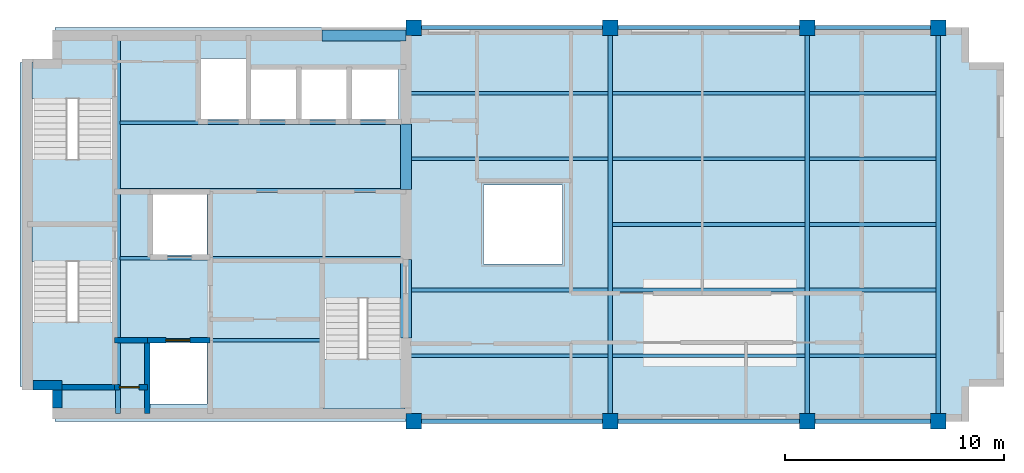
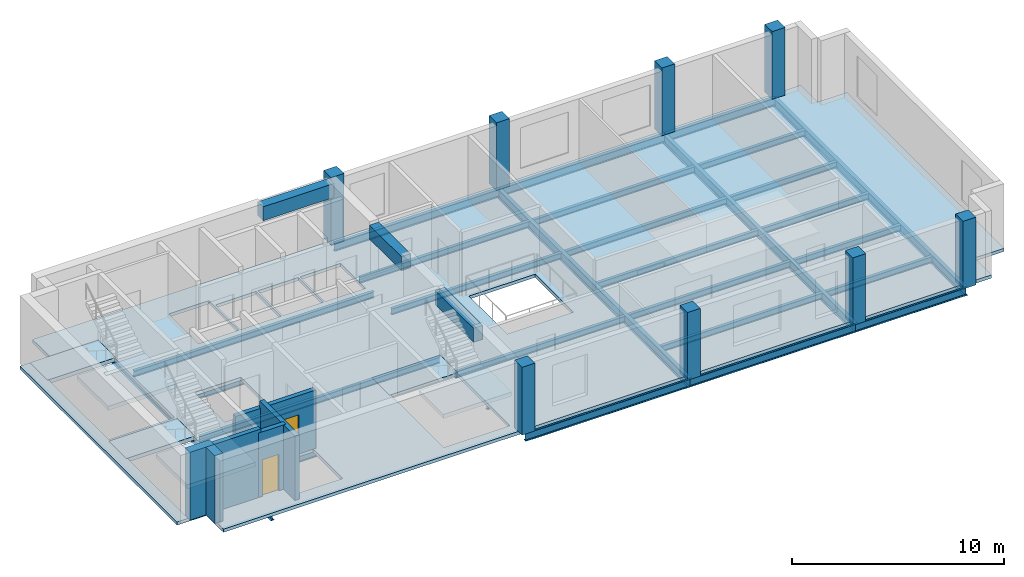
# One storey, part 1 of 5: 31 beams, 8 columns, 7 slabs, 7 walls, 2 doors, 2 openings, 3 elements without a shape of their own.
"""IFC4 building model written with IfcOpenShell, lengths in metres."""

import ifcopenshell
import ifcopenshell.guid

model = None  # the IFC model being written
_history = None  # IfcOwnerHistory: only IFC2X3 demands one
_inside = {}  # id of a spatial element -> (the spatial element, [elements in it])
_under = {}  # id of a project, library or spatial element -> (it, [spatial elements below it])
_declared = {}  # id of a project -> (the project, [libraries it declares])
_typed = {}  # id of a type object -> (the type object, [elements of that type])
_made_of = {}  # id of a material, layer set ... -> (it, [elements and type objects made of it])


def new_model(schema):
    """Start an empty IFC model of exactly this schema.

    Asked for "IFC4X3", IfcOpenShell would pick the latest addendum, in which some entities
    have other attributes; the version numbers below select the first issue.
    IFC2X3 requires an IfcOwnerHistory on every rooted entity: one is made here for all.
    """
    global model, _history
    if schema == "IFC4X3":
        model = ifcopenshell.file(schema_version=(4, 3, 0, 0))
    else:
        model = ifcopenshell.file(schema=schema)
    _inside.clear()
    _under.clear()
    _declared.clear()
    _typed.clear()
    _made_of.clear()
    _history = None
    if model.schema == "IFC2X3":
        org = make("IfcOrganization", Name="unknown")
        user = make(
            "IfcPersonAndOrganization",
            ThePerson=make("IfcPerson", FamilyName="unknown"),
            TheOrganization=org,
        )
        app = make(
            "IfcApplication",
            ApplicationDeveloper=org,
            Version="unknown",
            ApplicationFullName="unknown",
            ApplicationIdentifier="unknown",
        )
        _history = make(
            "IfcOwnerHistory",
            OwningUser=user,
            OwningApplication=app,
            ChangeAction="ADDED",
            CreationDate=0,
        )
    return model


def make(cls, **values):
    """One entity of the class cls with the attributes given. An attribute that is None is left unset."""
    return model.create_entity(
        cls, **{name: value for name, value in values.items() if value is not None}
    )


def rooted(cls, **values):
    """An entity with a GlobalId (a new one), such as an element, a storey or a relation."""
    return make(cls, GlobalId=ifcopenshell.guid.new(), OwnerHistory=_history, **values)


def si_unit(unit_type, name, prefix=None):
    """IfcSIUnit, for example si_unit("LENGTHUNIT", "METRE", prefix="MILLI")."""
    return make("IfcSIUnit", UnitType=unit_type, Prefix=prefix, Name=name)


def assignment(units):
    """IfcUnitAssignment: the units of a project."""
    return None if units is None else make("IfcUnitAssignment", Units=units)


def point(xyz):
    """IfcCartesianPoint."""
    return None if xyz is None else make("IfcCartesianPoint", Coordinates=xyz)


def direction(xyz):
    """IfcDirection."""
    return None if xyz is None else make("IfcDirection", DirectionRatios=xyz)


def frame(location, z_axis=None, x_axis=None):
    """IfcAxis2Placement3D, a coordinate frame: its origin and axes. An axis left out is left unset."""
    return make(
        "IfcAxis2Placement3D",
        Location=point(location),
        Axis=direction(z_axis),
        RefDirection=direction(x_axis),
    )


def frame_2d(location, x_axis=None):
    """IfcAxis2Placement2D, a coordinate frame in the plane: its origin and x axis."""
    return make(
        "IfcAxis2Placement2D", Location=point(location), RefDirection=direction(x_axis)
    )


def origin():
    """The frame at (0, 0, 0) with its axes left unset."""
    return frame((0.0, 0.0, 0.0))


def origin_2d():
    """The frame at (0, 0) in the plane with its x axis left unset."""
    return frame_2d((0.0, 0.0))


def place(relative_to, where):
    """IfcLocalPlacement: puts the frame where relative to a parent placement (None: the world)."""
    return make(
        "IfcLocalPlacement", PlacementRelTo=relative_to, RelativePlacement=where
    )


def context(
    kind, dimensions, precision=None, world=None, true_north=None, identifier=None
):
    """IfcGeometricRepresentationContext, for example the 3D "Model" context."""
    return make(
        "IfcGeometricRepresentationContext",
        ContextIdentifier=identifier,
        ContextType=kind,
        CoordinateSpaceDimension=dimensions,
        Precision=precision,
        WorldCoordinateSystem=world,
        TrueNorth=true_north,
    )


def subcontext(parent, identifier, kind, view, scale=None):
    """IfcGeometricRepresentationSubContext, for example "Body" below "Model"."""
    return make(
        "IfcGeometricRepresentationSubContext",
        ContextIdentifier=identifier,
        ContextType=kind,
        ParentContext=parent,
        TargetScale=scale,
        TargetView=view,
    )


def project(units=None, contexts=None):
    """IfcProject with its units and contexts."""
    return rooted(
        "IfcProject",
        Name="project",
        RepresentationContexts=contexts,
        UnitsInContext=assignment(units),
    )


def spatial(cls, under=None, at=None, **own):
    """A site, building, storey or space (cls), placed at a placement, below another one or the project."""
    s = rooted(cls, ObjectPlacement=at, **own)
    if under is not None:
        _under.setdefault(under.id(), (under, []))[1].append(s)
    return s


def polyline(points):
    """IfcPolyline through the points."""
    return make("IfcPolyline", Points=[point(p) for p in points])


def profile(cls, at=None, kind="AREA", **sizes):
    """A parametric profile (cls). Its sizes go by their IFC names, for example OverallWidth=200.0."""
    return make(cls, ProfileType=kind, Position=at, **sizes)


def rectangle(**sizes):
    """IfcRectangleProfileDef."""
    return profile("IfcRectangleProfileDef", **sizes)


def i_section(**sizes):
    """IfcIShapeProfileDef."""
    return profile("IfcIShapeProfileDef", **sizes)


def outline(outer, holes=None, kind="AREA"):
    """IfcArbitraryClosedProfileDef: a profile drawn as a closed curve; with holes, ...WithVoids."""
    if holes is None:
        return make("IfcArbitraryClosedProfileDef", ProfileType=kind, OuterCurve=outer)
    return make(
        "IfcArbitraryProfileDefWithVoids",
        ProfileType=kind,
        OuterCurve=outer,
        InnerCurves=holes,
    )


def extrude(swept, where, along, depth):
    """IfcExtrudedAreaSolid: the profile swept, set in the frame where, extruded along a direction by depth."""
    return make(
        "IfcExtrudedAreaSolid",
        SweptArea=swept,
        Position=where,
        ExtrudedDirection=direction(along),
        Depth=depth,
    )


def shape(context_of_items, identifier, shape_type, items):
    """IfcShapeRepresentation: the items that make up one representation, for example the "Body"."""
    return make(
        "IfcShapeRepresentation",
        ContextOfItems=context_of_items,
        RepresentationIdentifier=identifier,
        RepresentationType=shape_type,
        Items=items,
    )


def material(Name=None, Category=None):
    """IfcMaterial."""
    return make("IfcMaterial", Name=Name, Category=Category)


def layer(
    of_material, thickness, ventilated=None, Name=None, Category=None, Priority=None
):
    """IfcMaterialLayer: one layer of a wall or slab, of a material (None: an air gap)."""
    return make(
        "IfcMaterialLayer",
        Material=of_material,
        LayerThickness=thickness,
        IsVentilated=ventilated,
        Name=Name,
        Category=Category,
        Priority=Priority,
    )


def layer_set(layers, Name=None):
    """IfcMaterialLayerSet."""
    return make("IfcMaterialLayerSet", MaterialLayers=layers, LayerSetName=Name)


def material_profile(
    of_material, cross_section, Name=None, Category=None, Priority=None
):
    """IfcMaterialProfile: a cross section and its material."""
    return make(
        "IfcMaterialProfile",
        Name=Name,
        Material=of_material,
        Profile=cross_section,
        Priority=Priority,
        Category=Category,
    )


def profile_set(profiles, Name=None, composite=None):
    """IfcMaterialProfileSet."""
    return make(
        "IfcMaterialProfileSet",
        Name=Name,
        MaterialProfiles=profiles,
        CompositeProfile=composite,
    )


def made_of(thing, what):
    """Note that an element or type object is made of a material, layer set ...; save() writes the relation."""
    if what is not None:
        _made_of.setdefault(what.id(), (what, []))[1].append(thing)
    return thing


def type_object(cls, material=None, **own):
    """A type object (cls), such as IfcWallType, which elements share."""
    return made_of(rooted(cls, **own), material)


def element(
    cls,
    number,
    at=None,
    inside=None,
    cuts=None,
    type_object=None,
    material=None,
    context=None,
    identifier="Body",
    shape_type=None,
    held_by="IfcProductDefinitionShape",
    body=None,
    shapes=None,
    **own,
):
    """One element of the class cls, such as IfcWall. Its Tag is "e" and its number.

    at: its placement. inside: the storey or other place that contains it. cuts: it is an
    opening in that element (IfcRelVoidsElement). A single representation is given by context,
    identifier, shape_type and body (its items); several are given by shapes. held_by: the class
    of the entity that holds the representations. save() writes the other relations.
    """
    e = rooted(cls, Tag="e%d" % number, ObjectPlacement=at, **own)
    if body is not None:
        shapes = [shape(context, identifier, shape_type, body)]
    if shapes is not None:
        e.Representation = make(held_by, Representations=shapes)
    if inside is not None:
        _inside.setdefault(inside.id(), (inside, []))[1].append(e)
    if cuts is not None:
        rooted(
            "IfcRelVoidsElement", RelatingBuildingElement=cuts, RelatedOpeningElement=e
        )
    if type_object is not None:
        _typed.setdefault(type_object.id(), (type_object, []))[1].append(e)
    return made_of(e, material)


def fill(opening, filler):
    """IfcRelFillsElement: the door or window that sits in an opening."""
    return rooted(
        "IfcRelFillsElement",
        RelatingOpeningElement=opening,
        RelatedBuildingElement=filler,
    )


def aggregate(whole, parts):
    """IfcRelAggregates: a whole, such as a stair, and the parts it consists of."""
    return rooted("IfcRelAggregates", RelatingObject=whole, RelatedObjects=parts)


def save(model, path):
    """Write the relations noted so far, then the file.

    IfcRelAggregates (storeys below a building ...), IfcRelContainedInSpatialStructure (elements
    in a storey), IfcRelDefinesByType, IfcRelAssociatesMaterial and IfcRelDeclares: one each for
    every whole, place, type object, material and project.
    """
    for whole, parts in _under.values():
        aggregate(whole, parts)
    for where, things in _inside.values():
        rooted(
            "IfcRelContainedInSpatialStructure",
            RelatedElements=things,
            RelatingStructure=where,
        )
    for kind, things in _typed.values():
        rooted("IfcRelDefinesByType", RelatedObjects=things, RelatingType=kind)
    for what, things in _made_of.values():
        rooted("IfcRelAssociatesMaterial", RelatedObjects=things, RelatingMaterial=what)
    for by, libraries in _declared.values():
        rooted("IfcRelDeclares", RelatingContext=by, RelatedDefinitions=libraries)
    model.write(path)


model = new_model("IFC4")

# Units and contexts
model_context = context("Model", 3, precision=1e-05, world=origin(), true_north=direction((0.0, 1.0)))
body_context = subcontext(model_context, "Body", "Model", "MODEL_VIEW")
ifc_project = project(units=[si_unit("LENGTHUNIT", "METRE"), si_unit("AREAUNIT", "SQUARE_METRE"), si_unit("VOLUMEUNIT", "CUBIC_METRE"), si_unit("PLANEANGLEUNIT", "RADIAN"), si_unit("MASSUNIT", "GRAM", prefix="KILO")], contexts=[model_context])

# Site, building, storey
site_placement = place(None, origin())
site = spatial("IfcSite", under=ifc_project, at=site_placement, CompositionType="ELEMENT")
building_placement = place(site_placement, origin())
building = spatial("IfcBuilding", under=site, at=building_placement, Name="Mawjdan Bourse Tower", CompositionType="ELEMENT")
storey_placement = place(building_placement, frame((0.0, 0.0, 293.699951171875)))
storey = spatial("IfcBuildingStorey", under=building, at=storey_placement, Name="L72", CompositionType="ELEMENT", Elevation=293.699951171875)

# Columns
ifc_material_1 = material(Name="Concrete C60/75", Category="concrete")
ifc_material_profile_1 = material_profile(ifc_material_1, rectangle(XDim=0.699951171875, YDim=0.699951171875, at=origin_2d()), Name="RC700X700")
ifc_profile_set_1 = profile_set([ifc_material_profile_1], Name="Concrete C60/75")
column_type = type_object("IfcColumnType", Name="COL-RC700X700", PredefinedType="COLUMN", material=ifc_profile_set_1)
for number, where, z_axis, x_axis, name in (
    (1, (24.0, 3.0, 0.0), (0.0, 0.0, 1.0), (1.0, 0.0, 0.0), "L72 Structural Column C-X240-Y30"),
    (2, (24.0, 21.0, 0.0), (0.0, 0.0, 1.0), (1.0, 0.0, 0.0), "L72 Structural Column C-X240-Y210"),
    (3, (33.0, 3.0, 0.0), (0.0, 0.0, 1.0), (1.0, 0.0, 0.0), "L72 Structural Column C-X330-Y30"),
    (4, (33.0, 21.0, 0.0), (0.0, 0.0, 1.0), (1.0, 0.0, 0.0), "L72 Structural Column C-X330-Y210"),
    (5, (42.0, 3.0, 0.0), (0.0, 0.0, 1.0), (1.0, 0.0, 0.0), "L72 Structural Column C-X420-Y30"),
    (6, (42.0, 21.0, 0.0), (0.0, 0.0, 1.0), (1.0, 0.0, 0.0), "L72 Structural Column C-X420-Y210"),
    (7, (48.0, 3.0, 0.0), (0.0, 0.0, 1.0), (1.0, 0.0, 0.0), "L72 Structural Column C-X480-Y30"),
    (8, (48.0, 21.0, 0.0), (0.0, 0.0, 1.0), (1.0, 0.0, 0.0), "L72 Structural Column C-X480-Y210"),
):
    element("IfcColumn", number, at=place(storey_placement, frame(where, z_axis=z_axis, x_axis=x_axis)), inside=storey, type_object=column_type, Name=name, PredefinedType="COLUMN", context=body_context, shape_type="SweptSolid", body=[
        extrude(rectangle(XDim=0.699951171875, YDim=0.699951171875, at=origin_2d()), origin(), (0.0, 0.0, 1.0), 3.900146484375),
    ])

# Beams
ifc_material_2 = material(Name="Structural Steel S355", Category="steel")
ifc_material_profile_2 = material_profile(ifc_material_2, i_section(OverallWidth=0.2099609375, OverallDepth=0.537109375, WebThickness=0.010986328125, FlangeThickness=0.017333984375, FilletRadius=0.013916015625, at=origin_2d()), Name="W21X68")
ifc_profile_set_2 = profile_set([ifc_material_profile_2], Name="Structural Steel S355")
beam_type_1 = type_object("IfcBeamType", Name="GRD-W21X68", PredefinedType="BEAM", material=ifc_profile_set_2)
beam_1_placement = place(storey_placement, frame((10.47998046875, 3.35009765625, -0.453369140625), z_axis=(0.0, 1.0, 0.0), x_axis=(-1.0, 0.0, 0.0)))
element("IfcBeam", 9, at=beam_1_placement, inside=storey, type_object=beam_type_1, Name="L72 Core Stair Trimmer Girder 001", PredefinedType="BEAM", context=body_context, shape_type="SweptSolid", body=[
    extrude(i_section(OverallWidth=0.2099609375, OverallDepth=0.537109375, WebThickness=0.010986328125, FlangeThickness=0.017333984375, FilletRadius=0.013916015625, at=origin_2d()), origin(), (0.0, 0.0, 1.0), 17.2998046875),
])
for number, where, z_axis, x_axis, name in (
    (10, (33.0, 3.0, -0.453369140625), (0.0, 1.0, 0.0), (-1.0, 0.0, 0.0), "L72 East Wing Clear-Span Girder 002"),
    (11, (42.0, 3.0, -0.453369140625), (0.0, 1.0, 0.0), (-1.0, 0.0, 0.0), "L72 East Wing Clear-Span Girder 003"),
    (12, (48.0, 3.0, -0.453369140625), (0.0, 1.0, 0.0), (-1.0, 0.0, 0.0), "L72 East Wing Clear-Span Girder 004"),
):
    element("IfcBeam", number, at=place(storey_placement, frame(where, z_axis=z_axis, x_axis=x_axis)), inside=storey, type_object=beam_type_1, Name=name, PredefinedType="BEAM", context=body_context, shape_type="SweptSolid", body=[
        extrude(i_section(OverallWidth=0.2099609375, OverallDepth=0.537109375, WebThickness=0.010986328125, FlangeThickness=0.017333984375, FilletRadius=0.013916015625, at=origin_2d()), origin(), (0.0, 0.0, 1.0), 18.0),
    ])
ifc_material_profile_3 = material_profile(ifc_material_2, i_section(OverallWidth=0.1708984375, OverallDepth=0.35107421875, WebThickness=0.0068359375, FlangeThickness=0.009765625, FilletRadius=0.0078125, at=origin_2d()), Name="W14X30")
ifc_profile_set_3 = profile_set([ifc_material_profile_3], Name="Structural Steel S355")
beam_type_2 = type_object("IfcBeamType", Name="JST-W14X30", PredefinedType="JOIST", material=ifc_profile_set_3)
beam_2_placement = place(storey_placement, frame((23.64990234375, 6.0, -0.3603515625), z_axis=(1.0, 0.0, 0.0), x_axis=(0.0, 1.0, 0.0)))
element("IfcBeam", 13, at=beam_2_placement, inside=storey, type_object=beam_type_2, Name="L72 East Wing Composite Joist 011", PredefinedType="JOIST", context=body_context, shape_type="SweptSolid", body=[
    extrude(i_section(OverallWidth=0.1708984375, OverallDepth=0.35107421875, WebThickness=0.0068359375, FlangeThickness=0.009765625, FilletRadius=0.0078125, at=origin_2d()), origin(), (0.0, 0.0, 1.0), 9.2470703125),
])
beam_3_placement = place(storey_placement, frame((33.10302734375, 6.0, -0.3603515625), z_axis=(1.0, 0.0, 0.0), x_axis=(0.0, 1.0, 0.0)))
element("IfcBeam", 14, at=beam_3_placement, inside=storey, type_object=beam_type_2, Name="L72 East Wing Composite Joist 012", PredefinedType="JOIST", context=body_context, shape_type="SweptSolid", body=[
    extrude(i_section(OverallWidth=0.1708984375, OverallDepth=0.35107421875, WebThickness=0.0068359375, FlangeThickness=0.009765625, FilletRadius=0.0078125, at=origin_2d()), origin(), (0.0, 0.0, 1.0), 8.7939453125),
])
beam_4_placement = place(storey_placement, frame((42.10302734375, 6.0, -0.3603515625), z_axis=(1.0, 0.0, 0.0), x_axis=(0.0, 1.0, 0.0)))
element("IfcBeam", 15, at=beam_4_placement, inside=storey, type_object=beam_type_2, Name="L72 East Wing Composite Joist 013", PredefinedType="JOIST", context=body_context, shape_type="SweptSolid", body=[
    extrude(i_section(OverallWidth=0.1708984375, OverallDepth=0.35107421875, WebThickness=0.0068359375, FlangeThickness=0.009765625, FilletRadius=0.0078125, at=origin_2d()), origin(), (0.0, 0.0, 1.0), 5.7939453125),
])
beam_5_placement = place(storey_placement, frame((23.64990234375, 9.0, -0.3603515625), z_axis=(1.0, 0.0, 0.0), x_axis=(0.0, 1.0, 0.0)))
element("IfcBeam", 16, at=beam_5_placement, inside=storey, type_object=beam_type_2, Name="L72 East Wing Composite Joist 014", PredefinedType="JOIST", context=body_context, shape_type="SweptSolid", body=[
    extrude(i_section(OverallWidth=0.1708984375, OverallDepth=0.35107421875, WebThickness=0.0068359375, FlangeThickness=0.009765625, FilletRadius=0.0078125, at=origin_2d()), origin(), (0.0, 0.0, 1.0), 9.2470703125),
])
beam_6_placement = place(storey_placement, frame((33.10302734375, 9.0, -0.3603515625), z_axis=(1.0, 0.0, 0.0), x_axis=(0.0, 1.0, 0.0)))
element("IfcBeam", 17, at=beam_6_placement, inside=storey, type_object=beam_type_2, Name="L72 East Wing Composite Joist 015", PredefinedType="JOIST", context=body_context, shape_type="SweptSolid", body=[
    extrude(i_section(OverallWidth=0.1708984375, OverallDepth=0.35107421875, WebThickness=0.0068359375, FlangeThickness=0.009765625, FilletRadius=0.0078125, at=origin_2d()), origin(), (0.0, 0.0, 1.0), 8.7939453125),
])
beam_7_placement = place(storey_placement, frame((42.10302734375, 9.0, -0.3603515625), z_axis=(1.0, 0.0, 0.0), x_axis=(0.0, 1.0, 0.0)))
element("IfcBeam", 18, at=beam_7_placement, inside=storey, type_object=beam_type_2, Name="L72 East Wing Composite Joist 016", PredefinedType="JOIST", context=body_context, shape_type="SweptSolid", body=[
    extrude(i_section(OverallWidth=0.1708984375, OverallDepth=0.35107421875, WebThickness=0.0068359375, FlangeThickness=0.009765625, FilletRadius=0.0078125, at=origin_2d()), origin(), (0.0, 0.0, 1.0), 5.7939453125),
])
beam_8_placement = place(storey_placement, frame((33.10302734375, 12.0, -0.3603515625), z_axis=(1.0, 0.0, 0.0), x_axis=(0.0, 1.0, 0.0)))
element("IfcBeam", 19, at=beam_8_placement, inside=storey, type_object=beam_type_2, Name="L72 East Wing Composite Joist 017", PredefinedType="JOIST", context=body_context, shape_type="SweptSolid", body=[
    extrude(i_section(OverallWidth=0.1708984375, OverallDepth=0.35107421875, WebThickness=0.0068359375, FlangeThickness=0.009765625, FilletRadius=0.0078125, at=origin_2d()), origin(), (0.0, 0.0, 1.0), 8.7939453125),
])
beam_9_placement = place(storey_placement, frame((42.10302734375, 12.0, -0.3603515625), z_axis=(1.0, 0.0, 0.0), x_axis=(0.0, 1.0, 0.0)))
element("IfcBeam", 20, at=beam_9_placement, inside=storey, type_object=beam_type_2, Name="L72 East Wing Composite Joist 018", PredefinedType="JOIST", context=body_context, shape_type="SweptSolid", body=[
    extrude(i_section(OverallWidth=0.1708984375, OverallDepth=0.35107421875, WebThickness=0.0068359375, FlangeThickness=0.009765625, FilletRadius=0.0078125, at=origin_2d()), origin(), (0.0, 0.0, 1.0), 5.7939453125),
])
beam_10_placement = place(storey_placement, frame((23.64990234375, 15.0, -0.3603515625), z_axis=(1.0, 0.0, 0.0), x_axis=(0.0, 1.0, 0.0)))
element("IfcBeam", 21, at=beam_10_placement, inside=storey, type_object=beam_type_2, Name="L72 East Wing Composite Joist 019", PredefinedType="JOIST", context=body_context, shape_type="SweptSolid", body=[
    extrude(i_section(OverallWidth=0.1708984375, OverallDepth=0.35107421875, WebThickness=0.0068359375, FlangeThickness=0.009765625, FilletRadius=0.0078125, at=origin_2d()), origin(), (0.0, 0.0, 1.0), 9.2470703125),
])
beam_11_placement = place(storey_placement, frame((33.10302734375, 15.0, -0.3603515625), z_axis=(1.0, 0.0, 0.0), x_axis=(0.0, 1.0, 0.0)))
element("IfcBeam", 22, at=beam_11_placement, inside=storey, type_object=beam_type_2, Name="L72 East Wing Composite Joist 020", PredefinedType="JOIST", context=body_context, shape_type="SweptSolid", body=[
    extrude(i_section(OverallWidth=0.1708984375, OverallDepth=0.35107421875, WebThickness=0.0068359375, FlangeThickness=0.009765625, FilletRadius=0.0078125, at=origin_2d()), origin(), (0.0, 0.0, 1.0), 8.7939453125),
])
beam_12_placement = place(storey_placement, frame((42.10302734375, 15.0, -0.3603515625), z_axis=(1.0, 0.0, 0.0), x_axis=(0.0, 1.0, 0.0)))
element("IfcBeam", 23, at=beam_12_placement, inside=storey, type_object=beam_type_2, Name="L72 East Wing Composite Joist 021", PredefinedType="JOIST", context=body_context, shape_type="SweptSolid", body=[
    extrude(i_section(OverallWidth=0.1708984375, OverallDepth=0.35107421875, WebThickness=0.0068359375, FlangeThickness=0.009765625, FilletRadius=0.0078125, at=origin_2d()), origin(), (0.0, 0.0, 1.0), 5.7939453125),
])
beam_13_placement = place(storey_placement, frame((23.64990234375, 18.0, -0.3603515625), z_axis=(1.0, 0.0, 0.0), x_axis=(0.0, 1.0, 0.0)))
element("IfcBeam", 24, at=beam_13_placement, inside=storey, type_object=beam_type_2, Name="L72 East Wing Composite Joist 022", PredefinedType="JOIST", context=body_context, shape_type="SweptSolid", body=[
    extrude(i_section(OverallWidth=0.1708984375, OverallDepth=0.35107421875, WebThickness=0.0068359375, FlangeThickness=0.009765625, FilletRadius=0.0078125, at=origin_2d()), origin(), (0.0, 0.0, 1.0), 9.2470703125),
])
beam_14_placement = place(storey_placement, frame((33.10302734375, 18.0, -0.3603515625), z_axis=(1.0, 0.0, 0.0), x_axis=(0.0, 1.0, 0.0)))
element("IfcBeam", 25, at=beam_14_placement, inside=storey, type_object=beam_type_2, Name="L72 East Wing Composite Joist 023", PredefinedType="JOIST", context=body_context, shape_type="SweptSolid", body=[
    extrude(i_section(OverallWidth=0.1708984375, OverallDepth=0.35107421875, WebThickness=0.0068359375, FlangeThickness=0.009765625, FilletRadius=0.0078125, at=origin_2d()), origin(), (0.0, 0.0, 1.0), 8.7939453125),
])
beam_15_placement = place(storey_placement, frame((42.10302734375, 18.0, -0.3603515625), z_axis=(1.0, 0.0, 0.0), x_axis=(0.0, 1.0, 0.0)))
element("IfcBeam", 26, at=beam_15_placement, inside=storey, type_object=beam_type_2, Name="L72 East Wing Composite Joist 024", PredefinedType="JOIST", context=body_context, shape_type="SweptSolid", body=[
    extrude(i_section(OverallWidth=0.1708984375, OverallDepth=0.35107421875, WebThickness=0.0068359375, FlangeThickness=0.009765625, FilletRadius=0.0078125, at=origin_2d()), origin(), (0.0, 0.0, 1.0), 5.7939453125),
])
beam_16_placement = place(storey_placement, frame((10.5830078125, 6.699951171875, -0.3603515625), z_axis=(1.0, 0.0, 0.0), x_axis=(0.0, 1.0, 0.0)))
element("IfcBeam", 27, at=beam_16_placement, inside=storey, type_object=beam_type_2, Name="L72 Core Floor Joist 025", PredefinedType="JOIST", context=body_context, shape_type="SweptSolid", body=[
    extrude(i_section(OverallWidth=0.1708984375, OverallDepth=0.35107421875, WebThickness=0.0068359375, FlangeThickness=0.009765625, FilletRadius=0.0078125, at=origin_2d()), origin(), (0.0, 0.0, 1.0), 9.2470703125),
])
for number, where, z_axis, x_axis, name in (
    (28, (10.5830078125, 10.449951171875, -0.3603515625), (1.0, 0.0, 0.0), (0.0, 1.0, 0.0), "L72 Core Floor Joist 026"),
    (29, (10.5830078125, 13.550048828125, -0.3603515625), (1.0, 0.0, 0.0), (0.0, 1.0, 0.0), "L72 Core Floor Joist 027"),
    (30, (10.5830078125, 16.64990234375, -0.3603515625), (1.0, 0.0, 0.0), (0.0, 1.0, 0.0), "L72 Core Floor Joist 028"),
):
    element("IfcBeam", number, at=place(storey_placement, frame(where, z_axis=z_axis, x_axis=x_axis)), inside=storey, type_object=beam_type_2, Name=name, PredefinedType="JOIST", context=body_context, shape_type="SweptSolid", body=[
        extrude(i_section(OverallWidth=0.1708984375, OverallDepth=0.35107421875, WebThickness=0.0068359375, FlangeThickness=0.009765625, FilletRadius=0.0078125, at=origin_2d()), origin(), (0.0, 0.0, 1.0), 13.06689453125),
    ])
ifc_material_3 = material(Name="Concrete C70/85", Category="concrete")
ifc_material_profile_4 = material_profile(ifc_material_3, rectangle(XDim=0.5, YDim=0.800048828125, at=origin_2d()), Name="RCB500X800")
ifc_profile_set_4 = profile_set([ifc_material_profile_4], Name="Concrete C70/85")
beam_type_3 = type_object("IfcBeamType", Name="LNT-RCB500X800", PredefinedType="LINTEL", material=ifc_profile_set_4)
beam_17_placement = place(storey_placement, frame((23.64990234375, 6.800048828125, 3.31494140625), z_axis=(0.0, 1.0, 0.0), x_axis=(-1.0, 0.0, 0.0)))
element("IfcBeam", 31, at=beam_17_placement, inside=storey, type_object=beam_type_3, Name="L72 Coupled Core Lintel CB-E1", PredefinedType="LINTEL", context=body_context, shape_type="SweptSolid", body=[
    extrude(rectangle(XDim=0.5, YDim=0.800048828125, at=origin_2d()), origin(), (0.0, 0.0, 1.0), 3.599853515625),
])
beam_18_placement = place(storey_placement, frame((23.64990234375, 13.60009765625, 3.31494140625), z_axis=(0.0, 1.0, 0.0), x_axis=(-1.0, 0.0, 0.0)))
element("IfcBeam", 32, at=beam_18_placement, inside=storey, type_object=beam_type_3, Name="L72 Coupled Core Lintel CB-E2", PredefinedType="LINTEL", context=body_context, shape_type="SweptSolid", body=[
    extrude(rectangle(XDim=0.5, YDim=0.800048828125, at=origin_2d()), origin(), (0.0, 0.0, 1.0), 3.0),
])
beam_19_placement = place(storey_placement, frame((19.800048828125, 20.64990234375, 3.31494140625), z_axis=(1.0, 0.0, 0.0), x_axis=(0.0, 1.0, 0.0)))
element("IfcBeam", 33, at=beam_19_placement, inside=storey, type_object=beam_type_3, Name="L72 Coupled Core Lintel CB-N1", PredefinedType="LINTEL", context=body_context, shape_type="SweptSolid", body=[
    extrude(rectangle(XDim=0.5, YDim=0.800048828125, at=origin_2d()), origin(), (0.0, 0.0, 1.0), 3.849853515625),
])
ifc_material_profile_5 = material_profile(ifc_material_2, i_section(OverallWidth=0.18994140625, OverallDepth=0.45703125, WebThickness=0.009033203125, FlangeThickness=0.014404296875, FilletRadius=0.01171875, at=origin_2d()), Name="W18X50")
ifc_profile_set_5 = profile_set([ifc_material_profile_5], Name="Structural Steel S355")
beam_type_4 = type_object("IfcBeamType", Name="SPN-W18X50", PredefinedType="SPANDREL", material=ifc_profile_set_5)
for number, where, z_axis, x_axis, name in (
    (34, (24.0, 3.0, -0.413330078125), (1.0, 0.0, 0.0), (0.0, 1.0, 0.0), "L72 Perimeter Masonry-Shelf Spandrel 005"),
    (35, (33.0, 3.0, -0.413330078125), (1.0, 0.0, 0.0), (0.0, 1.0, 0.0), "L72 Perimeter Masonry-Shelf Spandrel 006"),
):
    element("IfcBeam", number, at=place(storey_placement, frame(where, z_axis=z_axis, x_axis=x_axis)), inside=storey, type_object=beam_type_4, Name=name, PredefinedType="SPANDREL", context=body_context, shape_type="SweptSolid", body=[
        extrude(i_section(OverallWidth=0.18994140625, OverallDepth=0.45703125, WebThickness=0.009033203125, FlangeThickness=0.014404296875, FilletRadius=0.01171875, at=origin_2d()), origin(), (0.0, 0.0, 1.0), 9.0),
    ])
beam_20_placement = place(storey_placement, frame((42.0, 3.0, -0.413330078125), z_axis=(1.0, 0.0, 0.0), x_axis=(0.0, 1.0, 0.0)))
element("IfcBeam", 36, at=beam_20_placement, inside=storey, type_object=beam_type_4, Name="L72 Perimeter Masonry-Shelf Spandrel 007", PredefinedType="SPANDREL", context=body_context, shape_type="SweptSolid", body=[
    extrude(i_section(OverallWidth=0.18994140625, OverallDepth=0.45703125, WebThickness=0.009033203125, FlangeThickness=0.014404296875, FilletRadius=0.01171875, at=origin_2d()), origin(), (0.0, 0.0, 1.0), 6.0),
])
for number, where, z_axis, x_axis, name in (
    (37, (24.0, 21.0, -0.413330078125), (1.0, 0.0, 0.0), (0.0, 1.0, 0.0), "L72 Perimeter Masonry-Shelf Spandrel 008"),
    (38, (33.0, 21.0, -0.413330078125), (1.0, 0.0, 0.0), (0.0, 1.0, 0.0), "L72 Perimeter Masonry-Shelf Spandrel 009"),
):
    element("IfcBeam", number, at=place(storey_placement, frame(where, z_axis=z_axis, x_axis=x_axis)), inside=storey, type_object=beam_type_4, Name=name, PredefinedType="SPANDREL", context=body_context, shape_type="SweptSolid", body=[
        extrude(i_section(OverallWidth=0.18994140625, OverallDepth=0.45703125, WebThickness=0.009033203125, FlangeThickness=0.014404296875, FilletRadius=0.01171875, at=origin_2d()), origin(), (0.0, 0.0, 1.0), 9.0),
    ])
beam_21_placement = place(storey_placement, frame((42.0, 21.0, -0.413330078125), z_axis=(1.0, 0.0, 0.0), x_axis=(0.0, 1.0, 0.0)))
element("IfcBeam", 39, at=beam_21_placement, inside=storey, type_object=beam_type_4, Name="L72 Perimeter Masonry-Shelf Spandrel 010", PredefinedType="SPANDREL", context=body_context, shape_type="SweptSolid", body=[
    extrude(i_section(OverallWidth=0.18994140625, OverallDepth=0.45703125, WebThickness=0.009033203125, FlangeThickness=0.014404296875, FilletRadius=0.01171875, at=origin_2d()), origin(), (0.0, 0.0, 1.0), 6.0),
])

# Stair, slabs
ifc_material_4 = material(Name="Concrete C50/60", Category="concrete")
stair_type = type_object("IfcStairType", Name="STR-CORE-1500", PredefinedType="HALF_TURN_STAIR", material=ifc_material_4)
stair_1_placement = place(storey_placement, origin())
stair_1 = element("IfcStair", 40, at=stair_1_placement, inside=storey, type_object=stair_type, Name="L72 Exit Stair 1 (Core South-West)", PredefinedType="HALF_TURN_STAIR")
ifc_layer_1 = layer(ifc_material_4, 0.22998046875)
ifc_layer_set_1 = layer_set([ifc_layer_1], Name="Concrete C50/60")
slab_type_1 = type_object("IfcSlabType", Name="SL-LND-230", PredefinedType="LANDING", material=ifc_layer_set_1)
slab_1_placement = place(storey_placement, frame((0.0, 0.0, -0.22998046875)))
slab_1 = element("IfcSlab", 41, at=slab_1_placement, type_object=slab_type_1, Name="ST1-L72 landing 1", PredefinedType="LANDING", context=body_context, shape_type="SweptSolid", body=[
    extrude(outline(polyline([(6.5400390625, 10.31005859375), (10.260009765625, 10.31005859375), (10.260009765625, 11.969970703125), (6.5400390625, 11.969970703125), (6.5400390625, 10.31005859375)])), origin(), (0.0, 0.0, 1.0), 0.22998046875),
])
slab_2_placement = place(storey_placement, frame((0.0, 0.0, 1.719970703125)))
slab_2 = element("IfcSlab", 42, at=slab_2_placement, type_object=slab_type_1, Name="ST1-L72 landing 2", PredefinedType="LANDING", context=body_context, shape_type="SweptSolid", body=[
    extrude(outline(polyline([(6.5400390625, 4.590087890625), (10.260009765625, 4.590087890625), (10.260009765625, 7.5400390625), (6.5400390625, 7.5400390625), (6.5400390625, 4.590087890625)])), origin(), (0.0, 0.0, 1.0), 0.22998046875),
])
aggregate(stair_1, [slab_1, slab_2])

stair_2_placement = place(storey_placement, origin())
stair_2 = element("IfcStair", 43, at=stair_2_placement, inside=storey, type_object=stair_type, Name="L72 Exit Stair 2 (Core North-West)", PredefinedType="HALF_TURN_STAIR")
slab_3_placement = place(storey_placement, frame((0.0, 0.0, -0.22998046875)))
slab_3 = element("IfcSlab", 44, at=slab_3_placement, type_object=slab_type_1, Name="ST2-L72 landing 1", PredefinedType="LANDING", context=body_context, shape_type="SweptSolid", body=[
    extrude(outline(polyline([(6.5400390625, 17.75), (10.260009765625, 17.75), (10.260009765625, 19.409912109375), (6.5400390625, 19.409912109375), (6.5400390625, 17.75)])), origin(), (0.0, 0.0, 1.0), 0.22998046875),
])
slab_4_placement = place(storey_placement, frame((0.0, 0.0, 1.719970703125)))
slab_4 = element("IfcSlab", 45, at=slab_4_placement, type_object=slab_type_1, Name="ST2-L72 landing 2", PredefinedType="LANDING", context=body_context, shape_type="SweptSolid", body=[
    extrude(outline(polyline([(6.5400390625, 12.030029296875), (10.260009765625, 12.030029296875), (10.260009765625, 14.97998046875), (6.5400390625, 14.97998046875), (6.5400390625, 12.030029296875)])), origin(), (0.0, 0.0, 1.0), 0.22998046875),
])
aggregate(stair_2, [slab_3, slab_4])

stair_3_placement = place(storey_placement, origin())
stair_3 = element("IfcStair", 46, at=stair_3_placement, inside=storey, type_object=stair_type, Name="L72 Exit Stair 7 (Core South-East)", PredefinedType="HALF_TURN_STAIR")
slab_5_placement = place(storey_placement, frame((0.0, 0.0, -0.22998046875)))
slab_5 = element("IfcSlab", 47, at=slab_5_placement, type_object=slab_type_1, Name="ST7-L72 landing 1", PredefinedType="LANDING", context=body_context, shape_type="SweptSolid", body=[
    extrude(outline(polyline([(19.889892578125, 8.6201171875), (23.610107421875, 8.6201171875), (23.610107421875, 10.280029296875), (19.889892578125, 10.280029296875), (19.889892578125, 8.6201171875)])), origin(), (0.0, 0.0, 1.0), 0.22998046875),
])
slab_6_placement = place(storey_placement, frame((0.0, 0.0, 1.719970703125)))
slab_6 = element("IfcSlab", 48, at=slab_6_placement, type_object=slab_type_1, Name="ST7-L72 landing 2", PredefinedType="LANDING", context=body_context, shape_type="SweptSolid", body=[
    extrude(outline(polyline([(19.889892578125, 3.56005859375), (23.610107421875, 3.56005859375), (23.610107421875, 5.85009765625), (19.889892578125, 5.85009765625), (19.889892578125, 3.56005859375)])), origin(), (0.0, 0.0, 1.0), 0.22998046875),
])
aggregate(stair_3, [slab_5, slab_6])

# Slab
ifc_layer_2 = layer(ifc_material_4, 0.18505859375)
ifc_layer_set_2 = layer_set([ifc_layer_2], Name="Concrete C50/60")
slab_type_2 = type_object("IfcSlabType", Name="SL-SMT-185", PredefinedType="FLOOR", material=ifc_layer_set_2)
slab_7_placement = place(storey_placement, frame((0.0, 0.0, -0.18505859375)))
element("IfcSlab", 49, at=slab_7_placement, inside=storey, type_object=slab_type_2, Name="L72 Structural Floor Slab 1", PredefinedType="FLOOR", context=body_context, shape_type="SweptSolid", body=[
    extrude(outline(polyline([(7.60009765625, 3.0), (49.39990234375, 3.0), (49.39990234375, 4.60009765625), (51.0, 4.60009765625), (51.0, 19.39990234375), (49.39990234375, 19.39990234375), (49.39990234375, 21.0), (7.60009765625, 21.0), (7.60009765625, 19.39990234375), (6.0, 19.39990234375), (6.0, 4.60009765625), (7.60009765625, 4.60009765625), (7.60009765625, 3.0)]), holes=[polyline([(14.550048828125, 3.800048828125), (11.949951171875, 3.800048828125), (11.949951171875, 6.60009765625), (14.550048828125, 6.60009765625), (14.550048828125, 3.800048828125)]), polyline([(10.260009765625, 11.969970703125), (10.260009765625, 10.31005859375), (10.199951171875, 10.31005859375), (10.199951171875, 4.64990234375), (6.60009765625, 4.64990234375), (6.60009765625, 10.31005859375), (6.5400390625, 10.31005859375), (6.5400390625, 11.969970703125), (10.260009765625, 11.969970703125)]), polyline([(14.550048828125, 10.60009765625), (12.050048828125, 10.60009765625), (12.050048828125, 13.39990234375), (14.550048828125, 13.39990234375), (14.550048828125, 10.60009765625)]), polyline([(6.60009765625, 12.090087890625), (6.60009765625, 17.75), (6.5400390625, 17.75), (6.5400390625, 19.3798828125), (7.60009765625, 19.3798828125), (7.60205078125, 19.380126953125), (7.60400390625, 19.38037109375), (7.605712890625, 19.380859375), (7.607666015625, 19.381591796875), (7.609375, 19.38232421875), (7.611083984375, 19.38330078125), (7.61279296875, 19.384521484375), (7.614013671875, 19.385986328125), (7.615478515625, 19.38720703125), (7.61669921875, 19.388916015625), (7.61767578125, 19.390625), (7.618408203125, 19.392333984375), (7.619140625, 19.394287109375), (7.61962890625, 19.39599609375), (7.619873046875, 19.39794921875), (7.6201171875, 19.39990234375), (7.6201171875, 19.409912109375), (10.260009765625, 19.409912109375), (10.260009765625, 17.75), (10.199951171875, 17.75), (10.199951171875, 12.090087890625), (6.60009765625, 12.090087890625)]), polyline([(14.199951171875, 16.800048828125), (14.199951171875, 19.60009765625), (16.39990234375, 19.60009765625), (16.39990234375, 16.800048828125), (14.199951171875, 16.800048828125)]), polyline([(23.610107421875, 10.280029296875), (23.610107421875, 8.6201171875), (23.550048828125, 8.6201171875), (23.550048828125, 3.6201171875), (19.949951171875, 3.6201171875), (19.949951171875, 8.6201171875), (19.889892578125, 8.6201171875), (19.889892578125, 10.280029296875), (23.610107421875, 10.280029296875)]), polyline([(27.199951171875, 10.199951171875), (27.199951171875, 13.800048828125), (30.800048828125, 13.800048828125), (30.800048828125, 10.199951171875), (27.199951171875, 10.199951171875)]), polyline([(16.5, 16.800048828125), (16.5, 19.14990234375), (18.699951171875, 19.14990234375), (18.699951171875, 16.800048828125), (16.5, 16.800048828125)]), polyline([(18.800048828125, 16.800048828125), (18.800048828125, 19.14990234375), (21.0, 19.14990234375), (21.0, 16.800048828125), (18.800048828125, 16.800048828125)]), polyline([(21.10009765625, 16.800048828125), (21.10009765625, 19.14990234375), (23.300048828125, 19.14990234375), (23.300048828125, 16.800048828125), (21.10009765625, 16.800048828125)])]), origin(), (0.0, 0.0, 1.0), 0.18505859375),
])

# Walls
ifc_layer_3 = layer(ifc_material_1, 0.449951171875)
ifc_layer_set_3 = layer_set([ifc_layer_3], Name="Concrete C60/75")
wall_type_1 = type_object("IfcWallType", Name="WL-CORE-450", PredefinedType="SHEAR", material=ifc_layer_set_3)
wall_1_placement = place(storey_placement, frame((6.60009765625, 4.64990234375, 0.0), z_axis=(0.0, 0.0, 1.0), x_axis=(1.0, 0.0, 0.0)))
element("IfcWall", 50, at=wall_1_placement, inside=storey, type_object=wall_type_1, Name="L72 Rear Core Shear Wall SW-X", PredefinedType="SHEAR", context=body_context, shape_type="SweptSolid", body=[
    extrude(rectangle(XDim=1.324951171875, YDim=0.449951171875, at=frame_2d((0.66259765625, 0.0))), origin(), (0.0, 0.0, 1.0), 3.900146484375),
])
wall_2_placement = place(storey_placement, frame((7.699951171875, 3.60009765625, 0.0), z_axis=(0.0, 0.0, 1.0), x_axis=(0.0, 1.0, 0.0)))
element("IfcWall", 51, at=wall_2_placement, inside=storey, type_object=wall_type_1, Name="L72 Rear Core Shear Wall SW-Y", PredefinedType="SHEAR", context=body_context, shape_type="SweptSolid", body=[
    extrude(rectangle(XDim=0.824951171875, YDim=0.449951171875, at=frame_2d((0.41259765625, 0.0))), origin(), (0.0, 0.0, 1.0), 3.900146484375),
])

# Wall, opening, door
ifc_layer_4 = layer(ifc_material_4, 0.25)
ifc_layer_set_4 = layer_set([ifc_layer_4], Name="Concrete C50/60")
wall_type_2 = type_object("IfcWallType", Name="WL-SHFT-250", PredefinedType="PARTITIONING", material=ifc_layer_set_4)
wall_3_placement = place(storey_placement, frame((10.330078125, 4.550048828125, 0.0), z_axis=(0.0, 0.0, 1.0), x_axis=(1.0, 0.0, 0.0)))
wall_3 = element("IfcWall", 52, at=wall_3_placement, inside=storey, type_object=wall_type_2, Name="L72 SW Riser North Wall", PredefinedType="PARTITIONING", context=body_context, shape_type="SweptSolid", body=[
    extrude(rectangle(XDim=1.489990234375, YDim=0.25, at=frame_2d((0.7451171875, 0.0))), origin(), (0.0, 0.0, 1.0), 3.705078125),
])
opening_1_placement = place(wall_3_placement, frame((0.219970703125, 0.0, 0.0)))
opening_1 = element("IfcOpeningElement", 53, at=opening_1_placement, cuts=wall_3, Name="Opening RD-L72-03", PredefinedType="OPENING", context=body_context, shape_type="SweptSolid", body=[
    extrude(rectangle(XDim=0.89990234375, YDim=2.10009765625, at=frame_2d((0.449951171875, 1.050048828125))), frame((0.0, 0.135009765625, 0.0), z_axis=(0.0, -1.0, 0.0), x_axis=(1.0, 0.0, 0.0)), (0.0, 0.0, 1.0), 0.27001953125),
])
ifc_material_5 = material(Name="Fire-Rated Steel Access Leaf", Category="steel")
door_type_1 = type_object("IfcDoorType", Name="FD-RSR-0900", OperationType="NOTDEFINED", PredefinedType="TRAPDOOR", material=ifc_material_5)
door_1_placement = place(opening_1_placement, origin())
door_1 = element("IfcDoor", 54, at=door_1_placement, inside=storey, type_object=door_type_1, Name="L72 Electrical Riser Access Door RD-L72-03", OperationType="SINGLE_SWING_LEFT", OverallHeight=2.10009765625, OverallWidth=0.89990234375, PredefinedType="TRAPDOOR", context=body_context, shape_type="SweptSolid", body=[
    extrude(rectangle(XDim=0.89990234375, YDim=2.10009765625, at=frame_2d((0.449951171875, 1.050048828125))), frame((0.0, 0.02490234375, 0.0), z_axis=(0.0, -1.0, 0.0), x_axis=(1.0, 0.0, 0.0)), (0.0, 0.0, 1.0), 0.050048828125),
])
fill(opening_1, door_1)

# Wall
wall_4_placement = place(storey_placement, frame((11.820068359375, 3.35009765625, 0.0), z_axis=(0.0, 0.0, 1.0), x_axis=(0.0, 1.0, 0.0)))
element("IfcWall", 55, at=wall_4_placement, inside=storey, type_object=wall_type_2, Name="L72 SW Riser & FFL01 West Wall", PredefinedType="PARTITIONING", context=body_context, shape_type="SweptSolid", body=[
    extrude(rectangle(XDim=3.349853515625, YDim=0.25, at=frame_2d((1.6748046875, 0.0))), origin(), (0.0, 0.0, 1.0), 3.705078125),
])

# Wall, opening, door
wall_5_placement = place(storey_placement, frame((11.820068359375, 6.699951171875, 0.0), z_axis=(0.0, 0.0, 1.0), x_axis=(1.0, 0.0, 0.0)))
wall_5 = element("IfcWall", 56, at=wall_5_placement, inside=storey, type_object=wall_type_2, Name="L72 FFL-01 Front Shaft Wall", PredefinedType="PARTITIONING", context=body_context, shape_type="SweptSolid", body=[
    extrude(rectangle(XDim=2.8798828125, YDim=0.25, at=frame_2d((1.43994140625, 0.0))), origin(), (0.0, 0.0, 1.0), 3.35400390625),
])
opening_2_placement = place(wall_5_placement, frame((0.85009765625, 0.0, 0.0)))
opening_2 = element("IfcOpeningElement", 57, at=opening_2_placement, cuts=wall_5, Name="Opening LD-L72-05", PredefinedType="OPENING", context=body_context, shape_type="SweptSolid", body=[
    extrude(rectangle(XDim=1.10009765625, YDim=2.25, at=frame_2d((0.550048828125, 1.125))), frame((0.0, 0.135009765625, 0.0), z_axis=(0.0, -1.0, 0.0), x_axis=(1.0, 0.0, 0.0)), (0.0, 0.0, 1.0), 0.27001953125),
])
ifc_material_6 = material(Name="Brushed Stainless Steel", Category="steel")
door_type_2 = type_object("IfcDoorType", Name="LD-FFL-1100", OperationType="DOUBLE_DOOR_SLIDING", PredefinedType="DOOR", material=ifc_material_6)
door_2_placement = place(opening_2_placement, origin())
door_2 = element("IfcDoor", 58, at=door_2_placement, inside=storey, type_object=door_type_2, Name="L72 Firefighting Lift FFL-01 Landing Door LD-L72-05", OperationType="DOUBLE_DOOR_SLIDING", OverallHeight=2.25, OverallWidth=1.10009765625, PredefinedType="DOOR", context=body_context, shape_type="SweptSolid", body=[
    extrude(rectangle(XDim=1.10009765625, YDim=2.25, at=frame_2d((0.550048828125, 1.125))), frame((0.0, 0.02490234375, 0.0), z_axis=(0.0, -1.0, 0.0), x_axis=(1.0, 0.0, 0.0)), (0.0, 0.0, 1.0), 0.050048828125),
])
fill(opening_2, door_2)

# Walls
wall_6_placement = place(storey_placement, frame((10.330078125, 6.699951171875, 0.0), z_axis=(0.0, 0.0, 1.0), x_axis=(1.0, 0.0, 0.0)))
element("IfcWall", 59, at=wall_6_placement, inside=storey, type_object=wall_type_2, Name="L72 Firefighting Lobby South Closure Wall", PredefinedType="PARTITIONING", context=body_context, shape_type="SweptSolid", body=[
    extrude(rectangle(XDim=1.489990234375, YDim=0.25, at=frame_2d((0.7451171875, 0.0))), origin(), (0.0, 0.0, 1.0), 3.35400390625),
])
ifc_layer_5 = layer(ifc_material_4, 0.25)
ifc_layer_set_5 = layer_set([ifc_layer_5], Name="Concrete C50/60")
wall_type_3 = type_object("IfcWallType", Name="WL-STRW-250", PredefinedType="SHEAR", material=ifc_layer_set_5)
wall_7_placement = place(storey_placement, frame((7.699951171875, 4.550048828125, 0.0), z_axis=(0.0, 0.0, 1.0), x_axis=(1.0, 0.0, 0.0)))
element("IfcWall", 60, at=wall_7_placement, inside=storey, type_object=wall_type_3, Name="L72 Stairwell ST1 South Shaft Wall", PredefinedType="SHEAR", context=body_context, shape_type="SweptSolid", body=[
    extrude(rectangle(XDim=2.755126953125, YDim=0.25, at=frame_2d((1.37744140625, 0.0))), origin(), (0.0, 0.0, 1.0), 3.900146484375),
])

save(model, "model.ifc")
